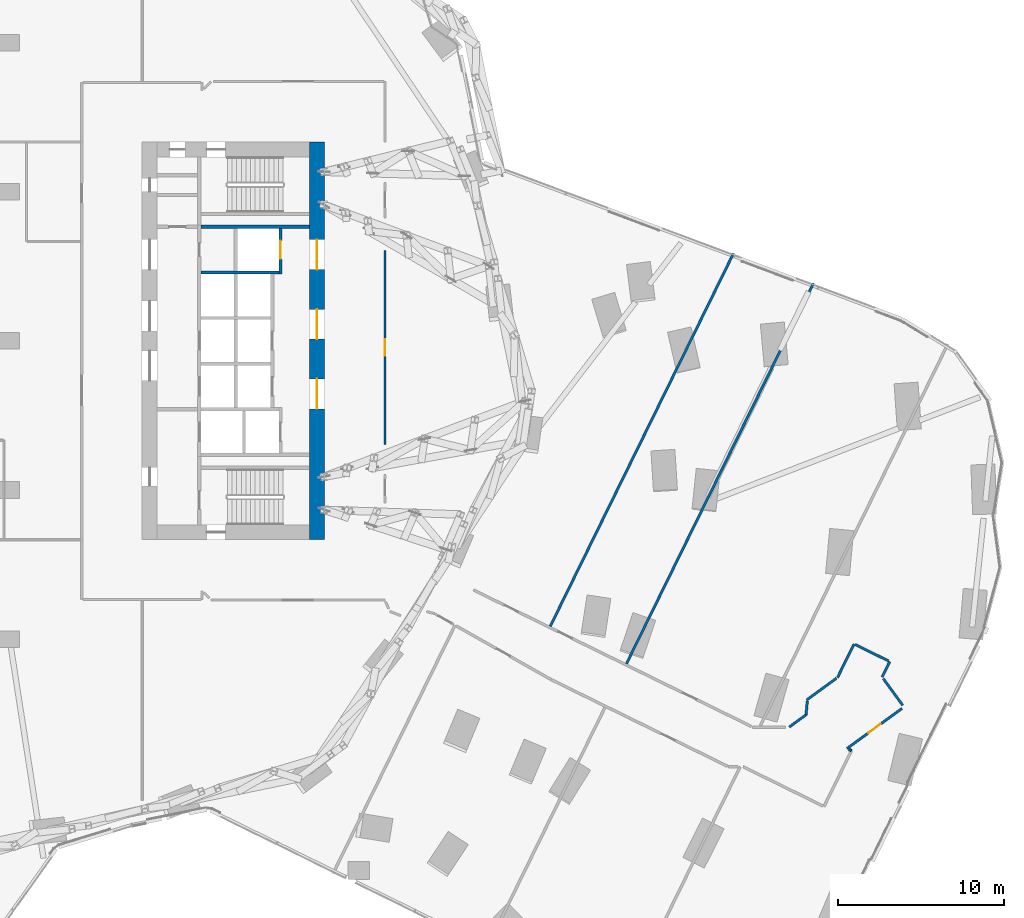
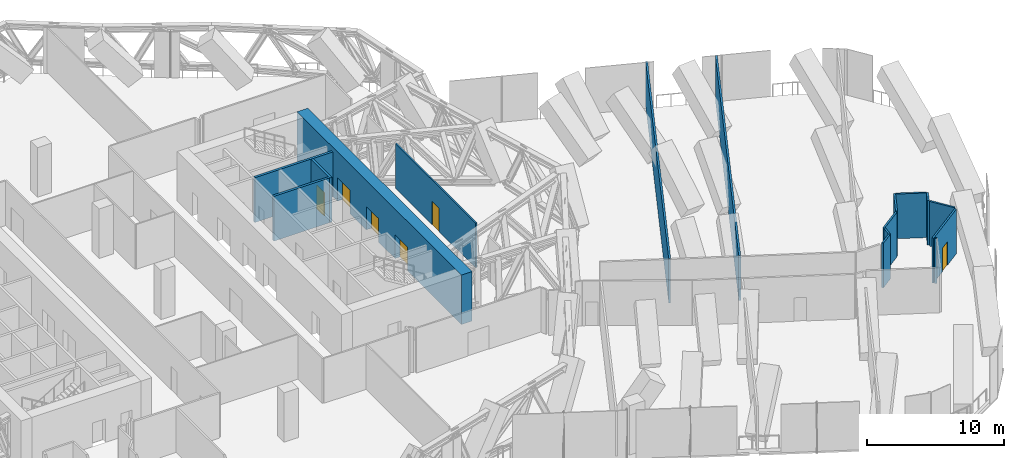
# One storey, part 28 of 34: 16 walls, 6 doors, 6 openings.
"""IFC4 building model written with IfcOpenShell, lengths in metres."""

from ifc_helpers import new_model, si_unit, direction, frame, frame_2d, origin, place, context, subcontext, project, spatial, rectangle, extrude, material, layer, layer_set, type_object, element, fill, save


model = new_model("IFC4")

# Units and contexts
model_context = context("Model", 3, precision=1e-05, world=origin(), true_north=direction((0.0, 1.0)))
body_context = subcontext(model_context, "Body", "Model", "MODEL_VIEW")
ifc_project = project(units=[si_unit("LENGTHUNIT", "METRE"), si_unit("AREAUNIT", "SQUARE_METRE"), si_unit("VOLUMEUNIT", "CUBIC_METRE"), si_unit("PLANEANGLEUNIT", "RADIAN"), si_unit("MASSUNIT", "GRAM", prefix="KILO")], contexts=[model_context])

# Site, building, storey
site_placement = place(None, origin())
site = spatial("IfcSite", under=ifc_project, at=site_placement, CompositionType="ELEMENT")
building_placement = place(site_placement, origin())
building = spatial("IfcBuilding", under=site, at=building_placement, Name="Orlundy Tower", CompositionType="ELEMENT")
storey_placement = place(building_placement, frame((0.0, 0.0, 76.300048828125)))
storey = spatial("IfcBuildingStorey", under=building, at=storey_placement, Name="L18", CompositionType="ELEMENT", Elevation=76.300048828125)

# Wall, openings, doors
ifc_material_1 = material(Name="Concrete C80/95", Category="concrete")
ifc_layer_1 = layer(ifc_material_1, 0.89990234375)
ifc_layer_set_1 = layer_set([ifc_layer_1], Name="CORE WALL 900 C80/95")
wall_type_1 = type_object("IfcWallType", Name="CORE WALL 900 C80/95", PredefinedType="SHEAR", material=ifc_layer_set_1)
wall_1_placement = place(storey_placement, frame((18.550048828125, -12.0, 0.0), z_axis=(0.0, 0.0, 1.0), x_axis=(0.0, 1.0, 0.0)))
wall_1 = element("IfcWall", 1, at=wall_1_placement, inside=storey, type_object=wall_type_1, Name="Core wall E-E L18", PredefinedType="SHEAR", context=body_context, shape_type="SweptSolid", body=[
    extrude(rectangle(XDim=24.0, YDim=0.89990234375, at=frame_2d((12.0, 0.0))), origin(), (0.0, 0.0, 1.0), 4.39990234375),
])
opening_1_placement = place(wall_1_placement, frame((16.300048828125, 0.0, 0.0)))
opening_1 = element("IfcOpeningElement", 2, at=opening_1_placement, cuts=wall_1, Name="Opening 15059", PredefinedType="OPENING", context=body_context, shape_type="SweptSolid", body=[
    extrude(rectangle(XDim=1.800048828125, YDim=2.10009765625, at=frame_2d((0.89990234375, 1.050048828125))), frame((0.0, 0.4599609375, 0.0), z_axis=(0.0, -1.0, 0.0), x_axis=(1.0, 0.0, 0.0)), (0.0, 0.0, 1.0), 0.919921875),
])
opening_2_placement = place(wall_1_placement, frame((12.10009765625, 0.0, 0.0)))
opening_2 = element("IfcOpeningElement", 3, at=opening_2_placement, cuts=wall_1, Name="Opening 15060", PredefinedType="OPENING", context=body_context, shape_type="SweptSolid", body=[
    extrude(rectangle(XDim=1.800048828125, YDim=2.10009765625, at=frame_2d((0.89990234375, 1.050048828125))), frame((0.0, 0.4599609375, 0.0), z_axis=(0.0, -1.0, 0.0), x_axis=(1.0, 0.0, 0.0)), (0.0, 0.0, 1.0), 0.919921875),
])
opening_3_placement = place(wall_1_placement, frame((7.89990234375, 0.0, 0.0)))
opening_3 = element("IfcOpeningElement", 4, at=opening_3_placement, cuts=wall_1, Name="Opening 15061", PredefinedType="OPENING", context=body_context, shape_type="SweptSolid", body=[
    extrude(rectangle(XDim=1.800048828125, YDim=2.10009765625, at=frame_2d((0.89990234375, 1.050048828125))), frame((0.0, 0.4599609375, 0.0), z_axis=(0.0, -1.0, 0.0), x_axis=(1.0, 0.0, 0.0)), (0.0, 0.0, 1.0), 0.919921875),
])
ifc_material_2 = material(Name="Timber door set", Category="wood")
door_type_1 = type_object("IfcDoorType", Name="Lobby Door 1800x2100", OperationType="DOUBLE_DOOR_DOUBLE_SWING", PredefinedType="DOOR", material=ifc_material_2)
door_1_placement = place(opening_1_placement, origin())
door_1 = element("IfcDoor", 5, at=door_1_placement, inside=storey, type_object=door_type_1, Name="Lift lobby door 15059", OperationType="SINGLE_SWING_RIGHT", OverallHeight=2.10009765625, OverallWidth=1.800048828125, PredefinedType="DOOR", context=body_context, shape_type="SweptSolid", body=[
    extrude(rectangle(XDim=1.800048828125, YDim=2.10009765625, at=frame_2d((0.89990234375, 1.050048828125))), frame((0.0, 0.02490234375, 0.0), z_axis=(0.0, -1.0, 0.0), x_axis=(1.0, 0.0, 0.0)), (0.0, 0.0, 1.0), 0.050048828125),
])
fill(opening_1, door_1)
door_2_placement = place(opening_2_placement, origin())
door_2 = element("IfcDoor", 6, at=door_2_placement, inside=storey, type_object=door_type_1, Name="Lift lobby door 15060", OperationType="SINGLE_SWING_RIGHT", OverallHeight=2.10009765625, OverallWidth=1.800048828125, PredefinedType="DOOR", context=body_context, shape_type="SweptSolid", body=[
    extrude(rectangle(XDim=1.800048828125, YDim=2.10009765625, at=frame_2d((0.89990234375, 1.050048828125))), frame((0.0, 0.02490234375, 0.0), z_axis=(0.0, -1.0, 0.0), x_axis=(1.0, 0.0, 0.0)), (0.0, 0.0, 1.0), 0.050048828125),
])
fill(opening_2, door_2)
door_3_placement = place(opening_3_placement, origin())
door_3 = element("IfcDoor", 7, at=door_3_placement, inside=storey, type_object=door_type_1, Name="Lift lobby door 15061", OperationType="SINGLE_SWING_LEFT", OverallHeight=2.10009765625, OverallWidth=1.800048828125, PredefinedType="DOOR", context=body_context, shape_type="SweptSolid", body=[
    extrude(rectangle(XDim=1.800048828125, YDim=2.10009765625, at=frame_2d((0.89990234375, 1.050048828125))), frame((0.0, 0.02490234375, 0.0), z_axis=(0.0, -1.0, 0.0), x_axis=(1.0, 0.0, 0.0)), (0.0, 0.0, 1.0), 0.050048828125),
])
fill(opening_3, door_3)

# Wall, opening, door
ifc_material_3 = material(Name="Gypsum board partition, double layer")
ifc_layer_2 = layer(ifc_material_3, 0.125)
ifc_layer_set_2 = layer_set([ifc_layer_2], Name="Floor partition 125")
wall_type_2 = type_object("IfcWallType", Name="Floor partition 125", PredefinedType="PARTITIONING", material=ifc_layer_set_2)
wall_2_placement = place(storey_placement, frame((22.65087890625, 5.44189453125, 0.0), z_axis=(0.0, 0.0, 1.0), x_axis=(0.0, -1.0, 0.0)))
wall_2 = element("IfcWall", 8, at=wall_2_placement, inside=storey, type_object=wall_type_2, Name="wall-int-L18-082", PredefinedType="PARTITIONING", context=body_context, shape_type="SweptSolid", body=[
    extrude(rectangle(XDim=11.69384765625, YDim=0.125, at=frame_2d((5.846923828125, 0.0))), origin(), (0.0, 0.0, 1.0), 3.97998046875),
])
opening_4_placement = place(wall_2_placement, frame((5.35009765625, 0.0, 0.0)))
opening_4 = element("IfcOpeningElement", 9, at=opening_4_placement, cuts=wall_2, Name="Opening 15126", PredefinedType="OPENING", context=body_context, shape_type="SweptSolid", body=[
    extrude(rectangle(XDim=1.0, YDim=2.10009765625, at=frame_2d((0.5, 1.050048828125))), frame((0.0, 0.072509765625, 0.0), z_axis=(0.0, -1.0, 0.0), x_axis=(1.0, 0.0, 0.0)), (0.0, 0.0, 1.0), 0.14501953125),
])
ifc_material_4 = material(Name="Timber door leaf", Category="wood")
door_type_2 = type_object("IfcDoorType", Name="Floor door wide 1000 FD30S", OperationType="NOTDEFINED", PredefinedType="DOOR", material=ifc_material_4)
door_4_placement = place(opening_4_placement, origin())
door_4 = element("IfcDoor", 10, at=door_4_placement, inside=storey, type_object=door_type_2, Name="Door 15126", OperationType="SINGLE_SWING_RIGHT", OverallHeight=2.10009765625, OverallWidth=1.0, PredefinedType="DOOR", context=body_context, shape_type="SweptSolid", body=[
    extrude(rectangle(XDim=1.0, YDim=2.10009765625, at=frame_2d((0.5, 1.050048828125))), frame((0.0, 0.02490234375, 0.0), z_axis=(0.0, -1.0, 0.0), x_axis=(1.0, 0.0, 0.0)), (0.0, 0.0, 1.0), 0.050048828125),
])
fill(opening_4, door_4)

# Walls
ifc_material_5 = material(Name="Blockwork shaft wall", Category="masonry")
ifc_layer_3 = layer(ifc_material_5, 0.14990234375)
ifc_layer_set_3 = layer_set([ifc_layer_3], Name="Floor shaft wall 150")
wall_type_3 = type_object("IfcWallType", Name="Floor shaft wall 150", PredefinedType="PARTITIONING", material=ifc_layer_set_3)
wall_3_placement = place(storey_placement, frame((53.89404296875, -21.9970703125, 0.0), z_axis=(0.0, 0.0, 1.0), x_axis=(-0.588776759567, 0.808295693044, 0.0)))
element("IfcWall", 11, at=wall_3_placement, inside=storey, type_object=wall_type_3, Name="wall-int-L18-009", PredefinedType="PARTITIONING", context=body_context, shape_type="SweptSolid", body=[
    extrude(rectangle(XDim=1.99072265625, YDim=0.14990234375, at=frame_2d((0.995361328125, 0.0))), origin(), (0.0, 0.0, 1.0), 3.97998046875),
])
wall_4_placement = place(storey_placement, frame((48.135986328125, -21.739013671875, 0.0), z_axis=(0.0, 0.0, 1.0), x_axis=(-0.091330059121, -0.995820676779, 0.0)))
element("IfcWall", 12, at=wall_4_placement, inside=storey, type_object=wall_type_3, Name="wall-int-L18-010", PredefinedType="PARTITIONING", context=body_context, shape_type="SweptSolid", body=[
    extrude(rectangle(XDim=0.831298828125, YDim=0.14990234375, at=frame_2d((0.41552734375, 0.0))), origin(), (0.0, 0.0, 1.0), 3.97998046875),
])
wall_5_placement = place(storey_placement, frame((51.02197265625, -18.326904296875, 0.0), z_axis=(0.0, 0.0, 1.0), x_axis=(0.897400657945, -0.441216567141, 0.0)))
element("IfcWall", 13, at=wall_5_placement, inside=storey, type_object=wall_type_3, Name="wall-int-L18-030", PredefinedType="PARTITIONING", context=body_context, shape_type="SweptSolid", body=[
    extrude(rectangle(XDim=2.2509765625, YDim=0.14990234375, at=frame_2d((1.12548828125, 0.0))), origin(), (0.0, 0.0, 1.0), 3.97998046875),
])
wall_6_placement = place(storey_placement, frame((50.64111328125, -24.658935546875, 0.0), z_axis=(0.0, 0.0, 1.0), x_axis=(0.897476789299, -0.441061688054, 0.0)))
element("IfcWall", 14, at=wall_6_placement, inside=storey, type_object=wall_type_3, Name="wall-int-L18-031", PredefinedType="PARTITIONING", context=body_context, shape_type="SweptSolid", body=[
    extrude(rectangle(XDim=0.1748046875, YDim=0.14990234375, at=frame_2d((0.08740234375, 0.0))), origin(), (0.0, 0.0, 1.0), 3.97998046875),
])

# Wall, opening, door
wall_7_placement = place(storey_placement, frame((53.847900390625, -22.18505859375, 0.0), z_axis=(0.0, 0.0, 1.0), x_axis=(-0.8081289685, -0.589005577453, 0.0)))
wall_7 = element("IfcWall", 15, at=wall_7_placement, inside=storey, type_object=wall_type_3, Name="wall-int-L18-054", PredefinedType="PARTITIONING", context=body_context, shape_type="SweptSolid", body=[
    extrude(rectangle(XDim=4.10693359375, YDim=0.14990234375, at=frame_2d((2.053466796875, 0.0))), origin(), (0.0, 0.0, 1.0), 3.97998046875),
])
opening_5_placement = place(wall_7_placement, frame((1.60009765625, 0.0, 0.0)))
opening_5 = element("IfcOpeningElement", 16, at=opening_5_placement, cuts=wall_7, Name="Opening 15103", PredefinedType="OPENING", context=body_context, shape_type="SweptSolid", body=[
    extrude(rectangle(XDim=0.89990234375, YDim=2.10009765625, at=frame_2d((0.449951171875, 1.050048828125))), frame((0.0, 0.0849609375, 0.0), z_axis=(0.0, -1.0, 0.0), x_axis=(1.0, 0.0, 0.0)), (0.0, 0.0, 1.0), 0.169921875),
])
ifc_material_6 = material(Name="Timber door leaf", Category="wood")
door_type_3 = type_object("IfcDoorType", Name="Floor door single 900 FD60", OperationType="NOTDEFINED", PredefinedType="DOOR", material=ifc_material_6)
door_5_placement = place(opening_5_placement, origin())
door_5 = element("IfcDoor", 17, at=door_5_placement, inside=storey, type_object=door_type_3, Name="Door 15103", OperationType="SINGLE_SWING_LEFT", OverallHeight=2.10009765625, OverallWidth=0.89990234375, PredefinedType="DOOR", context=body_context, shape_type="SweptSolid", body=[
    extrude(rectangle(XDim=0.89990234375, YDim=2.10009765625, at=frame_2d((0.449951171875, 1.050048828125))), frame((0.0, 0.02490234375, 0.0), z_axis=(0.0, -1.0, 0.0), x_axis=(1.0, 0.0, 0.0)), (0.0, 0.0, 1.0), 0.050048828125),
])
fill(opening_5, door_5)

# Walls
wall_8_placement = place(storey_placement, frame((47.0458984375, -23.305908203125, 0.0), z_axis=(0.0, 0.0, 1.0), x_axis=(0.808188872435, 0.588923379119, 0.0)))
element("IfcWall", 18, at=wall_8_placement, inside=storey, type_object=wall_type_3, Name="wall-int-L18-055", PredefinedType="PARTITIONING", context=body_context, shape_type="SweptSolid", body=[
    extrude(rectangle(XDim=1.2548828125, YDim=0.14990234375, at=frame_2d((0.62744140625, 0.0))), origin(), (0.0, 0.0, 1.0), 3.97998046875),
])
wall_9_placement = place(storey_placement, frame((48.092041015625, -21.677001953125, 0.0), z_axis=(0.0, 0.0, 1.0), x_axis=(0.808032420816, 0.589138020255, 0.0)))
element("IfcWall", 19, at=wall_9_placement, inside=storey, type_object=wall_type_3, Name="wall-int-L18-056", PredefinedType="PARTITIONING", context=body_context, shape_type="SweptSolid", body=[
    extrude(rectangle(XDim=2.2373046875, YDim=0.14990234375, at=frame_2d((1.11865234375, 0.0))), origin(), (0.0, 0.0, 1.0), 3.97998046875),
])
wall_10_placement = place(storey_placement, frame((52.64892578125, -20.2880859375, 0.0), z_axis=(0.0, 0.0, 1.0), x_axis=(0.441393879012, 0.897313458926, 0.0)))
element("IfcWall", 20, at=wall_10_placement, inside=storey, type_object=wall_type_3, Name="wall-int-L18-068", PredefinedType="PARTITIONING", context=body_context, shape_type="SweptSolid", body=[
    extrude(rectangle(XDim=1.0419921875, YDim=0.14990234375, at=frame_2d((0.52099609375, 0.0))), origin(), (0.0, 0.0, 1.0), 3.97998046875),
])
wall_11_placement = place(storey_placement, frame((49.9609375, -20.31494140625, 0.0), z_axis=(0.0, 0.0, 1.0), x_axis=(0.441216567141, 0.897400657945, 0.0)))
element("IfcWall", 21, at=wall_11_placement, inside=storey, type_object=wall_type_3, Name="wall-int-L18-069", PredefinedType="PARTITIONING", context=body_context, shape_type="SweptSolid", body=[
    extrude(rectangle(XDim=2.2509765625, YDim=0.14990234375, at=frame_2d((1.12548828125, 0.0))), origin(), (0.0, 0.0, 1.0), 3.97998046875),
])
wall_12_placement = place(storey_placement, frame((37.221923828125, -19.486083984375, 0.0), z_axis=(0.0, 0.0, 1.0), x_axis=(0.440971293859, 0.897521207545, 0.0)))
element("IfcWall", 22, at=wall_12_placement, inside=storey, type_object=wall_type_3, Name="wall-int-L18-073", PredefinedType="PARTITIONING", context=body_context, shape_type="SweptSolid", body=[
    extrude(rectangle(XDim=25.591552734375, YDim=0.14990234375, at=frame_2d((12.7958984375, 0.0))), origin(), (0.0, 0.0, 1.0), 3.97998046875),
])
wall_13_placement = place(storey_placement, frame((32.6240234375, -17.22705078125, 0.0), z_axis=(0.0, 0.0, 1.0), x_axis=(0.440938270509, 0.897537431866, 0.0)))
element("IfcWall", 23, at=wall_13_placement, inside=storey, type_object=wall_type_3, Name="wall-int-L18-074", PredefinedType="PARTITIONING", context=body_context, shape_type="SweptSolid", body=[
    extrude(rectangle(XDim=25.0830078125, YDim=0.14990234375, at=frame_2d((12.54150390625, 0.0))), origin(), (0.0, 0.0, 1.0), 3.97998046875),
])
ifc_material_7 = material(Name="Fire-rated blockwork shaft wall", Category="masonry")
ifc_layer_4 = layer(ifc_material_7, 0.199951171875)
ifc_layer_set_4 = layer_set([ifc_layer_4], Name="Shaft Wall 200")
wall_type_4 = type_object("IfcWallType", Name="Shaft Wall 200", PredefinedType="SOLIDWALL", material=ifc_layer_set_4)
wall_14_placement = place(storey_placement, frame((11.5400390625, 6.875, 0.0), z_axis=(0.0, 0.0, 1.0), x_axis=(1.0, 0.0, 0.0)))
element("IfcWall", 24, at=wall_14_placement, inside=storey, type_object=wall_type_4, Name="Shaft wall E15-zone-s", PredefinedType="SOLIDWALL", context=body_context, shape_type="SweptSolid", body=[
    extrude(rectangle(XDim=6.56005859375, YDim=0.199951171875, at=frame_2d((3.280029296875, 0.0))), origin(), (0.0, 0.0, 1.0), 3.989990234375),
])
wall_15_placement = place(storey_placement, frame((11.5400390625, 4.125, 0.0), z_axis=(0.0, 0.0, 1.0), x_axis=(1.0, 0.0, 0.0)))
element("IfcWall", 25, at=wall_15_placement, inside=storey, type_object=wall_type_4, Name="Shaft wall E15-cross-4.125", PredefinedType="SOLIDWALL", context=body_context, shape_type="SweptSolid", body=[
    extrude(rectangle(XDim=4.699951171875, YDim=0.199951171875, at=frame_2d((2.35009765625, 0.0))), origin(), (0.0, 0.0, 1.0), 3.989990234375),
])

# Wall, opening, door
wall_16_placement = place(storey_placement, frame((16.340087890625, 6.77490234375, 0.0), z_axis=(0.0, 0.0, 1.0), x_axis=(0.0, -1.0, 0.0)))
wall_16 = element("IfcWall", 26, at=wall_16_placement, inside=storey, type_object=wall_type_4, Name="Shaft wall E15-front-o-a", PredefinedType="SOLIDWALL", context=body_context, shape_type="SweptSolid", body=[
    extrude(rectangle(XDim=2.75, YDim=0.199951171875, at=frame_2d((1.375, 0.0))), origin(), (0.0, 0.0, 1.0), 3.989990234375),
])
opening_6_placement = place(wall_16_placement, frame((0.72509765625, 0.0, 0.0)))
opening_6 = element("IfcOpeningElement", 27, at=opening_6_placement, cuts=wall_16, Name="Opening 15050", PredefinedType="OPENING", context=body_context, shape_type="SweptSolid", body=[
    extrude(rectangle(XDim=1.10009765625, YDim=2.10009765625, at=frame_2d((0.550048828125, 1.050048828125))), frame((0.0, 0.110107421875, 0.0), z_axis=(0.0, -1.0, 0.0), x_axis=(1.0, 0.0, 0.0)), (0.0, 0.0, 1.0), 0.22021484375),
])
ifc_material_8 = material(Name="Steel door set", Category="steel")
door_type_4 = type_object("IfcDoorType", Name="Landing Door 1100x2100", OperationType="DOUBLE_DOOR_SLIDING", PredefinedType="DOOR", material=ifc_material_8)
door_6_placement = place(opening_6_placement, origin())
door_6 = element("IfcDoor", 28, at=door_6_placement, inside=storey, type_object=door_type_4, Name="Lift landing door LV-02 15050", OperationType="DOUBLE_DOOR_SLIDING", OverallHeight=2.10009765625, OverallWidth=1.10009765625, PredefinedType="DOOR", context=body_context, shape_type="SweptSolid", body=[
    extrude(rectangle(XDim=1.10009765625, YDim=2.10009765625, at=frame_2d((0.550048828125, 1.050048828125))), frame((0.0, 0.02490234375, 0.0), z_axis=(0.0, -1.0, 0.0), x_axis=(1.0, 0.0, 0.0)), (0.0, 0.0, 1.0), 0.050048828125),
])
fill(opening_6, door_6)

save(model, "model.ifc")
